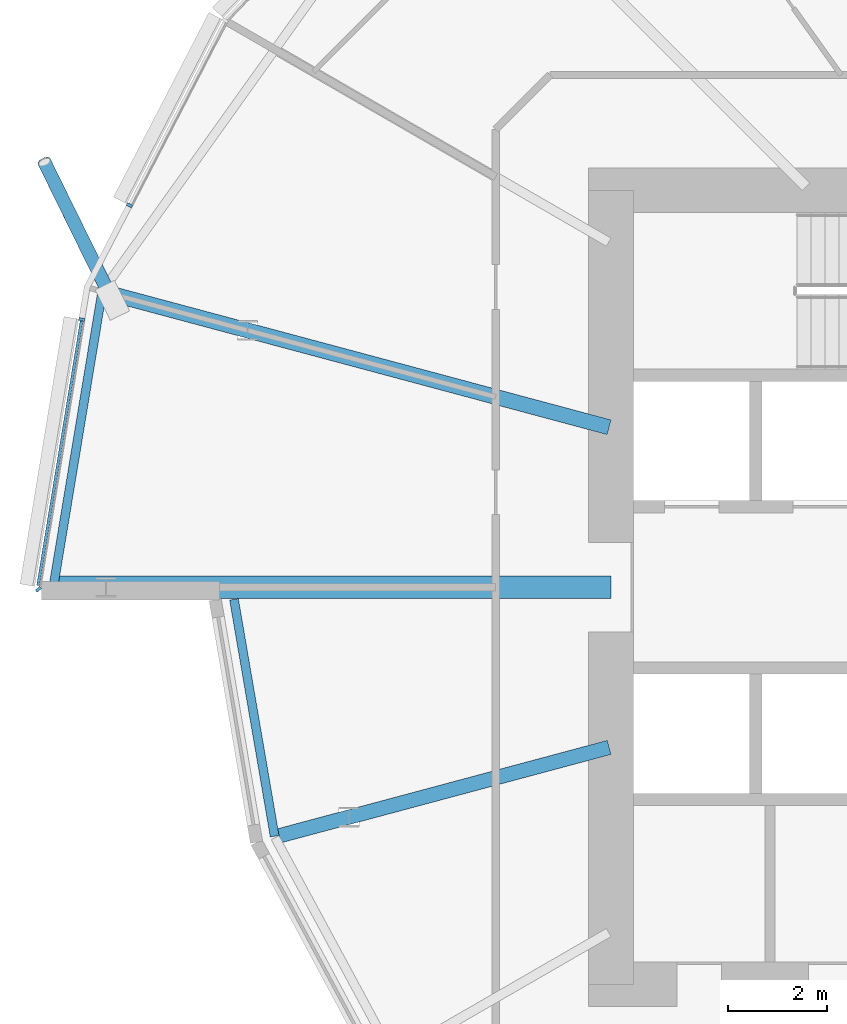
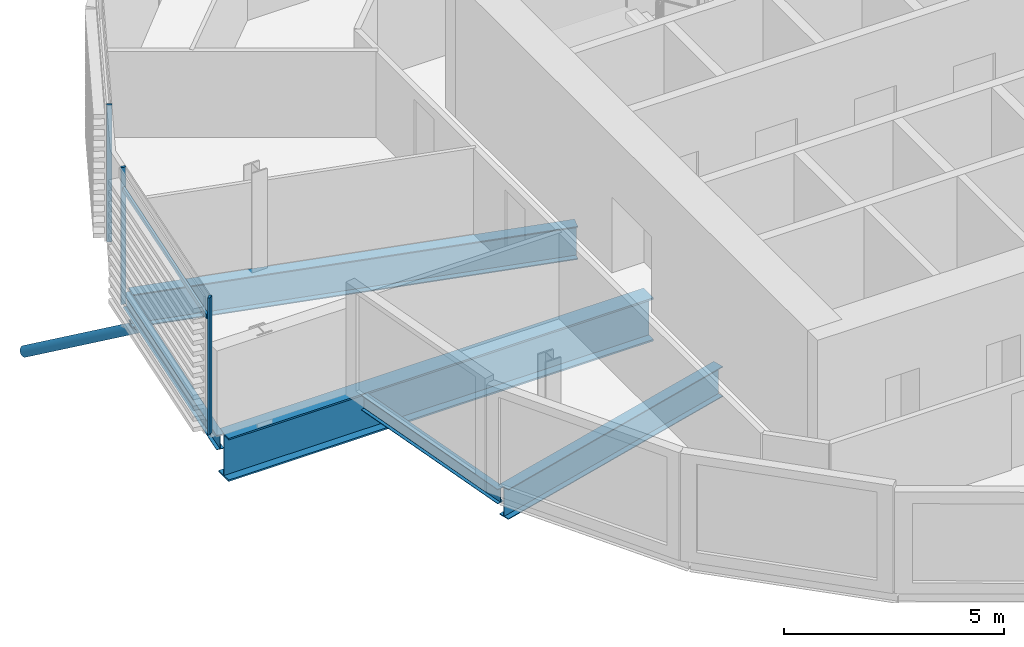
# One storey, part 5 of 38: 5 beams, 5 members, 1 element without a shape of its own.
"""IFC4 building model written with IfcOpenShell, lengths in metres."""

from ifc_helpers import new_model, si_unit, direction, frame, origin, origin_2d, place, context, subcontext, project, spatial, rectangle, hollow_circle, i_section, extrude, clip, halfspace, material, material_profile, profile_set, type_object, element, aggregate, save


model = new_model("IFC4")

# Units and contexts
model_context = context("Model", 3, precision=1e-05, world=origin(), true_north=direction((0.0, 1.0)))
body_context = subcontext(model_context, "Body", "Model", "MODEL_VIEW")
ifc_project = project(units=[si_unit("LENGTHUNIT", "METRE"), si_unit("AREAUNIT", "SQUARE_METRE"), si_unit("VOLUMEUNIT", "CUBIC_METRE"), si_unit("PLANEANGLEUNIT", "RADIAN"), si_unit("MASSUNIT", "GRAM", prefix="KILO")], contexts=[model_context])

# Site, building, storey
site_placement = place(None, origin())
site = spatial("IfcSite", under=ifc_project, at=site_placement, CompositionType="ELEMENT")
building_placement = place(site_placement, origin())
building = spatial("IfcBuilding", under=site, at=building_placement, Name="Rimbun Link Towers", CompositionType="ELEMENT")
storey_placement = place(building_placement, frame((0.0, 0.0, 71.800048828125)))
storey = spatial("IfcBuildingStorey", under=building, at=storey_placement, Name="L17", CompositionType="ELEMENT", Elevation=71.800048828125)

# Curtain wall, members
ifc_material_1 = material(Name="Aluminium 6063-T6 and low-iron glass", Category="aluminium")
curtain_wall_type = type_object("IfcCurtainWallType", Name="CW1 unitised vision wall", PredefinedType="NOTDEFINED", material=ifc_material_1)
curtain_wall_placement = place(storey_placement, origin())
curtain_wall = element("IfcCurtainWall", 1, at=curtain_wall_placement, inside=storey, type_object=curtain_wall_type, Name="CW1 L17 T1", PredefinedType="NOTDEFINED")
ifc_material_2 = material(Name="Aluminium 6063-T6", Category="aluminium")
ifc_material_profile_1 = material_profile(ifc_material_2, rectangle(XDim=0.1201171875, YDim=0.06005859375, at=origin_2d()), Name="MULLION 60X120")
ifc_profile_set_1 = profile_set([ifc_material_profile_1], Name="Aluminium 6063-T6")
member_type_1 = type_object("IfcMemberType", Name="CW1 mullion 60X120", PredefinedType="MULLION", material=ifc_profile_set_1)
member_1_placement = place(storey_placement, frame((-53.455810546875, 7.7001953125, 0.0), z_axis=(0.0, 0.0, 1.0), x_axis=(-0.888148629228, 0.45955632125, 0.0)))
member_1 = element("IfcMember", 2, at=member_1_placement, type_object=member_type_1, Name="CW1 mullion", PredefinedType="MULLION", context=body_context, shape_type="SweptSolid", body=[
    extrude(rectangle(XDim=0.1201171875, YDim=0.06005859375, at=origin_2d()), origin(), (0.0, 0.0, 1.0), 3.800048828125),
])
member_2_placement = place(storey_placement, frame((-55.2900390625, -0.038818359375, 0.0), z_axis=(0.0, 0.0, 1.0), x_axis=(-0.762318713614, -0.647201806915, 0.0)))
member_2 = element("IfcMember", 3, at=member_2_placement, type_object=member_type_1, Name="CW1 mullion", PredefinedType="MULLION", context=body_context, shape_type="SweptSolid", body=[
    extrude(rectangle(XDim=0.1201171875, YDim=0.06005859375, at=origin_2d()), origin(), (0.0, 0.0, 1.0), 3.800048828125),
])
member_3_placement = place(storey_placement, frame((-54.41748046875, 5.39794921875, 0.0), z_axis=(0.0, 0.0, 1.0), x_axis=(-0.986748097792, 0.162259642251, 0.0)))
member_3 = element("IfcMember", 4, at=member_3_placement, type_object=member_type_1, Name="CW1 mullion", PredefinedType="MULLION", context=body_context, shape_type="SweptSolid", body=[
    extrude(rectangle(XDim=0.1201171875, YDim=0.06005859375, at=origin_2d()), origin(), (0.0, 0.0, 1.0), 3.800048828125),
])
ifc_material_3 = material(Name="Aluminium 6063-T6", Category="aluminium")
ifc_material_profile_2 = material_profile(ifc_material_3, rectangle(XDim=0.06005859375, YDim=0.1201171875, at=origin_2d()), Name="TRANSOM 60X120")
ifc_profile_set_2 = profile_set([ifc_material_profile_2], Name="Aluminium 6063-T6")
member_type_2 = type_object("IfcMemberType", Name="CW1 transom 60X120", PredefinedType="USERDEFINED", material=ifc_profile_set_2)
member_4_placement = place(storey_placement, frame((-55.296630859375, 0.0390625, 3.199951171875), z_axis=(0.162250618428, 0.986749581616, 0.0), x_axis=(-0.986749581616, 0.162250618428, 0.0)))
member_4 = element("IfcMember", 5, at=member_4_placement, type_object=member_type_2, Name="CW1 transom", ObjectType="TRANSOM", PredefinedType="USERDEFINED", context=body_context, shape_type="SweptSolid", body=[
    extrude(rectangle(XDim=0.06005859375, YDim=0.1201171875, at=origin_2d()), origin(), (0.0, 0.0, 1.0), 5.400390625),
])
aggregate(curtain_wall, [member_1, member_2, member_3, member_4])

# Member
ifc_material_4 = material(Name="Steel S355J2H", Category="steel")
ifc_material_profile_3 = material_profile(ifc_material_4, hollow_circle(Radius=0.136474609375, WallThickness=0.012451171875, at=origin_2d()), Name="CHS 273x12.5")
ifc_profile_set_3 = profile_set([ifc_material_profile_3], Name="Steel S355J2H")
member_type_3 = type_object("IfcMemberType", Name="Floor edge link CHS 273x12.5", PredefinedType="BRACE", material=ifc_profile_set_3)
member_5_placement = place(storey_placement, frame((-53.8701171875, 5.927001953125, -1.1953125), z_axis=(-0.37727345814, 0.767172070329, -0.518759821391), x_axis=(-0.897361213504, -0.441296785054, 0.0)))
element("IfcMember", 6, at=member_5_placement, inside=storey, type_object=member_type_3, Name="Floor edge link T1 L17 11", PredefinedType="BRACE", context=body_context, shape_type="Clipping", body=[
    clip(extrude(hollow_circle(Radius=0.136474609375, WallThickness=0.012451171875, at=origin_2d()), frame((0.0, 0.0, -0.46923828125)), (0.0, 0.0, 1.0), 3.9306640625), halfspace(frame((0.0, 0.0, -0.221435546875), z_axis=(0.0, 0.85492002416, -0.518759821391)), False)),
])

# Beams
ifc_material_5 = material(Name="Steel S355J2", Category="steel")
ifc_material_profile_4 = material_profile(ifc_material_5, i_section(OverallWidth=0.449951171875, OverallDepth=1.199951171875, WebThickness=0.030029296875, FlangeThickness=0.044921875, at=origin_2d()), Name="PG 1200x450x30/45")
ifc_profile_set_4 = profile_set([ifc_material_profile_4], Name="Steel S355J2")
beam_type_1 = type_object("IfcBeamType", Name="PG 1200x450x30/45", PredefinedType="BEAM", material=ifc_profile_set_4)
beam_1_placement = place(storey_placement, frame((-43.7509765625, 0.0, -0.760009765625), z_axis=(-1.0, 0.0, 0.0), x_axis=(0.0, -1.0, 0.0)))
element("IfcBeam", 7, at=beam_1_placement, inside=storey, type_object=beam_type_1, Name="Radial beam T1 L17 12", PredefinedType="BEAM", context=body_context, shape_type="SweptSolid", body=[
    extrude(i_section(OverallWidth=0.449951171875, OverallDepth=1.199951171875, WebThickness=0.030029296875, FlangeThickness=0.044921875, at=origin_2d()), origin(), (0.0, 0.0, 1.0), 11.14892578125),
])
ifc_material_6 = material(Name="Steel S355J2", Category="steel")
ifc_material_profile_5 = material_profile(ifc_material_6, i_section(OverallWidth=0.177978515625, OverallDepth=0.406494140625, WebThickness=0.0078125, FlangeThickness=0.0126953125, at=origin_2d()), Name="UB 406x178x60")
ifc_profile_set_5 = profile_set([ifc_material_profile_5], Name="Steel S355J2")
beam_type_2 = type_object("IfcBeamType", Name="UB 406x178x60", PredefinedType="BEAM", material=ifc_profile_set_5)
beam_2_placement = place(storey_placement, frame((-54.005615234375, 5.96240234375, -0.36328125), z_axis=(-0.163035965688, -0.986620126438, 0.0), x_axis=(0.986620126438, -0.163035965688, 0.0)))
element("IfcBeam", 8, at=beam_2_placement, inside=storey, type_object=beam_type_2, Name="Edge beam T1 L17 11", PredefinedType="BEAM", context=body_context, shape_type="SweptSolid", body=[
    extrude(i_section(OverallWidth=0.177978515625, OverallDepth=0.406494140625, WebThickness=0.0078125, FlangeThickness=0.0126953125, at=origin_2d()), origin(), (0.0, 0.0, 1.0), 6.042236328125),
])
beam_3_placement = place(storey_placement, frame((-51.349365234375, -0.240966796875, -0.36328125), z_axis=(0.169112068925, -0.985596828396, 0.0), x_axis=(0.985596828396, 0.169112068925, 0.0)))
element("IfcBeam", 9, at=beam_3_placement, inside=storey, type_object=beam_type_2, Name="Edge beam T1 L17 12 recess", PredefinedType="BEAM", context=body_context, shape_type="SweptSolid", body=[
    extrude(i_section(OverallWidth=0.177978515625, OverallDepth=0.406494140625, WebThickness=0.0078125, FlangeThickness=0.0126953125, at=origin_2d()), origin(), (0.0, 0.0, 1.0), 4.844970703125),
])
ifc_material_7 = material(Name="Steel S355J2", Category="steel")
ifc_material_profile_6 = material_profile(ifc_material_7, i_section(OverallWidth=0.29248046875, OverallDepth=0.8408203125, WebThickness=0.0126953125, FlangeThickness=0.021728515625, at=origin_2d()), Name="UB 838x292x194")
ifc_profile_set_6 = profile_set([ifc_material_profile_6], Name="Steel S355J2")
beam_type_3 = type_object("IfcBeamType", Name="UB 838x292x194", PredefinedType="BEAM", material=ifc_profile_set_6)
beam_4_placement = place(storey_placement, frame((-43.788818359375, -3.225830078125, -0.580322265625), z_axis=(-0.965925895413, -0.258818787128, 0.0), x_axis=(0.258818787128, -0.965925895413, 0.0)))
element("IfcBeam", 10, at=beam_4_placement, inside=storey, type_object=beam_type_3, Name="Radial beam T1 L17 13", PredefinedType="BEAM", context=body_context, shape_type="SweptSolid", body=[
    extrude(i_section(OverallWidth=0.29248046875, OverallDepth=0.8408203125, WebThickness=0.0126953125, FlangeThickness=0.021728515625, at=origin_2d()), origin(), (0.0, 0.0, 1.0), 6.885986328125),
])
ifc_material_8 = material(Name="Steel S355J2", Category="steel")
ifc_material_profile_7 = material_profile(ifc_material_8, i_section(OverallWidth=0.305419921875, OverallDepth=0.91845703125, WebThickness=0.017333984375, FlangeThickness=0.02783203125, at=origin_2d()), Name="UB 914x305x253")
ifc_profile_set_7 = profile_set([ifc_material_profile_7], Name="Steel S355J2")
beam_type_4 = type_object("IfcBeamType", Name="UB 914x305x253", PredefinedType="BEAM", material=ifc_profile_set_7)
beam_5_placement = place(storey_placement, frame((-43.79052734375, 3.226318359375, -0.619140625), z_axis=(-0.965927784229, 0.258811737861, 0.0), x_axis=(-0.258811737861, -0.965927784229, 0.0)))
element("IfcBeam", 11, at=beam_5_placement, inside=storey, type_object=beam_type_4, Name="Radial beam T1 L17 11", PredefinedType="BEAM", context=body_context, shape_type="SweptSolid", body=[
    extrude(i_section(OverallWidth=0.305419921875, OverallDepth=0.91845703125, WebThickness=0.017333984375, FlangeThickness=0.02783203125, at=origin_2d()), origin(), (0.0, 0.0, 1.0), 10.48486328125),
])

save(model, "model.ifc")
